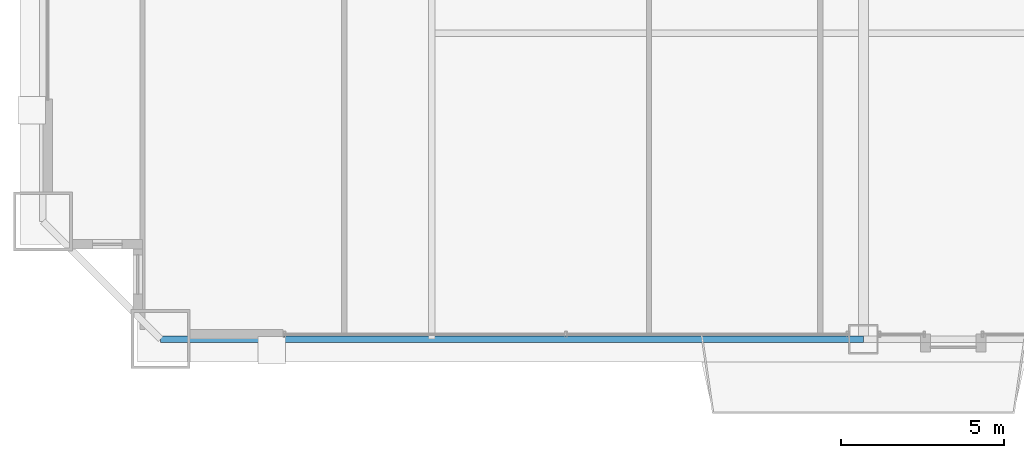
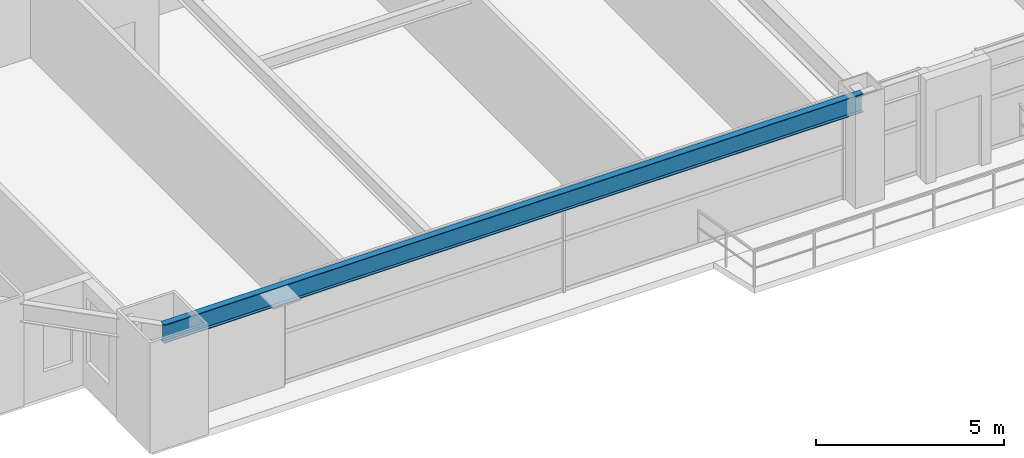
# One storey, part 4 of 43: 1 beam.
"""IFC4 building model written with IfcOpenShell, lengths in metres."""

from ifc_helpers import new_model, si_unit, direction, frame, origin, origin_2d, place, context, subcontext, project, spatial, i_section, extrude, source, transform, mapped, material, material_profile, profile_set, type_object, element, save


model = new_model("IFC4")

# Units and contexts
model_context = context("Model", 3, precision=1e-05, world=origin(), true_north=direction((0.0, 1.0)))
body_context = subcontext(model_context, "Body", "Model", "MODEL_VIEW")
ifc_project = project(units=[si_unit("LENGTHUNIT", "METRE"), si_unit("AREAUNIT", "SQUARE_METRE"), si_unit("VOLUMEUNIT", "CUBIC_METRE"), si_unit("PLANEANGLEUNIT", "RADIAN"), si_unit("MASSUNIT", "GRAM", prefix="KILO"), si_unit("THERMODYNAMICTEMPERATUREUNIT", "KELVIN"), si_unit("POWERUNIT", "WATT")], contexts=[model_context])

# Site, building, storey
site_placement = place(None, origin())
site = spatial("IfcSite", under=ifc_project, at=site_placement, CompositionType="ELEMENT")
building_placement = place(site_placement, origin())
building = spatial("IfcBuilding", under=site, at=building_placement, Name="Yuzanri Waterfront Tower", CompositionType="ELEMENT")
storey_placement = place(building_placement, frame((0.0, 0.0, 64.0)))
storey = spatial("IfcBuildingStorey", under=building, at=storey_placement, Name="L16", CompositionType="ELEMENT", Elevation=64.0)

# Beam
ifc_material = material(Name="Steel Q355B", Category="steel")
ifc_material_profile = material_profile(ifc_material, i_section(OverallWidth=0.199951171875, OverallDepth=0.60009765625, WebThickness=0.010986328125, FlangeThickness=0.01708984375, at=origin_2d()), Name="HN 600x200x11x17")
ifc_profile_set = profile_set([ifc_material_profile], Name="Steel Q355B")
beam_type = type_object("IfcBeamType", Name="Perimeter Spandrel Q355B HN 600x200", PredefinedType="SPANDREL", material=ifc_profile_set)
shared_shape = source(origin(), body_context, "Body", "SweptSolid", [
    extrude(i_section(OverallWidth=0.199951171875, OverallDepth=0.60009765625, WebThickness=0.010986328125, FlangeThickness=0.01708984375, at=origin_2d()), origin(), (0.0, 0.0, 1.0), 21.5),
])
beam_placement = place(storey_placement, frame((15.5, 0.699951171875, 3.080078125), z_axis=(1.0, 0.0, 0.0), x_axis=(0.0, 1.0, 0.0)))
element("IfcBeam", 1, at=beam_placement, inside=storey, type_object=beam_type, Name="L16 Perimeter Spandrel S1-S2", PredefinedType="SPANDREL", context=body_context, shape_type="MappedRepresentation", body=[
    mapped(shared_shape, transform((0.0, 0.0, 0.0), scale=1.0)),
])

save(model, "model.ifc")
